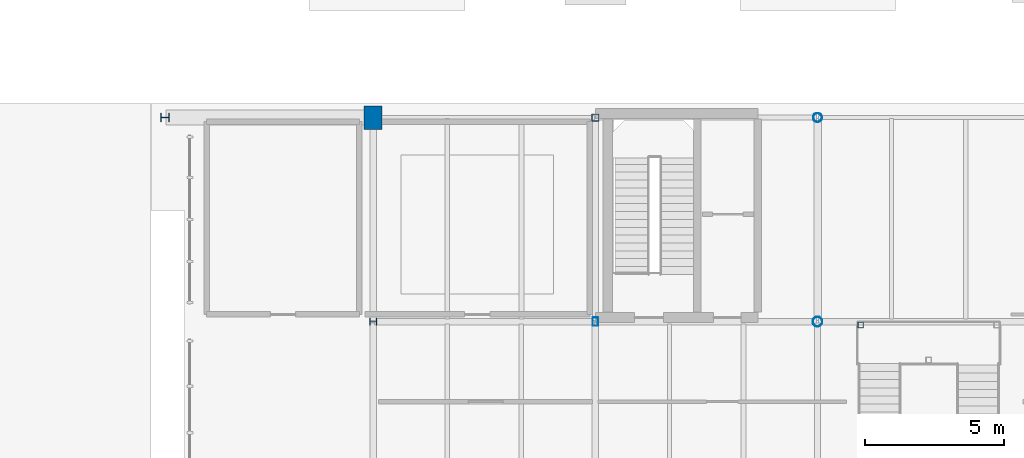
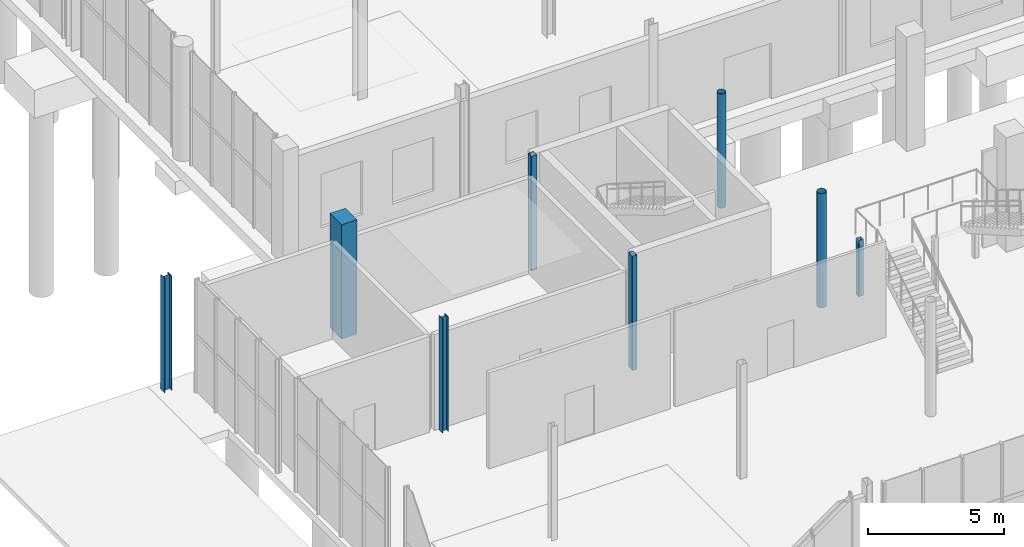
# One storey, part 6 of 87: 8 columns.
"""IFC4 building model written with IfcOpenShell, lengths in metres."""

from ifc_helpers import new_model, si_unit, direction, frame, origin, origin_2d, place, context, subcontext, project, spatial, rectangle, hollow_rectangle, hollow_circle, i_section, extrude, material, material_profile, profile_set, type_object, element, save


model = new_model("IFC4")

# Units and contexts
model_context = context("Model", 3, precision=1e-05, world=origin(), true_north=direction((0.0, 1.0)))
body_context = subcontext(model_context, "Body", "Model", "MODEL_VIEW")
ifc_project = project(units=[si_unit("LENGTHUNIT", "METRE"), si_unit("AREAUNIT", "SQUARE_METRE"), si_unit("VOLUMEUNIT", "CUBIC_METRE"), si_unit("PLANEANGLEUNIT", "RADIAN"), si_unit("MASSUNIT", "GRAM", prefix="KILO")], contexts=[model_context])

# Site, building, storey
site_placement = place(None, origin())
site = spatial("IfcSite", under=ifc_project, at=site_placement, CompositionType="ELEMENT")
building_placement = place(site_placement, origin())
building = spatial("IfcBuilding", under=site, at=building_placement, Name="Brisemont Oceanarium", CompositionType="ELEMENT")
storey_placement = place(building_placement, origin())
storey = spatial("IfcBuildingStorey", under=building, at=storey_placement, Name="L00", CompositionType="ELEMENT", Elevation=0.0)

# Columns
ifc_material_1 = material(Name="Structural Steel ASTM A500 Gr.C", Category="steel")
ifc_material_profile_1 = material_profile(ifc_material_1, hollow_circle(Radius=0.162109375, WallThickness=0.01171875, at=origin_2d()), Name="HSS12.750X0.500")
ifc_profile_set_1 = profile_set([ifc_material_profile_1], Name="Structural Steel ASTM A500 Gr.C")
column_type_1 = type_object("IfcColumnType", Name="COL-CHS12", PredefinedType="COLUMN", material=ifc_profile_set_1)
column_1_placement = place(storey_placement, frame((32.0, 31.35009765625, 0.0), z_axis=(0.0, 0.0, 1.0), x_axis=(1.0, 0.0, 0.0)))
element("IfcColumn", 1, at=column_1_placement, inside=storey, type_object=column_type_1, Name="V2 L00 column (3,3)", PredefinedType="COLUMN", context=body_context, shape_type="SweptSolid", body=[
    extrude(hollow_circle(Radius=0.162109375, WallThickness=0.01171875, at=origin_2d()), origin(), (0.0, 0.0, 1.0), 5.1201171875),
])
ifc_material_2 = material(Name="Structural Steel ASTM A500 Gr.C", Category="steel")
ifc_material_profile_2 = material_profile(ifc_material_2, hollow_circle(Radius=0.177978515625, WallThickness=0.01171875, at=origin_2d()), Name="HSS14.000X0.500")
ifc_profile_set_2 = profile_set([ifc_material_profile_2], Name="Structural Steel ASTM A500 Gr.C")
column_type_2 = type_object("IfcColumnType", Name="COL-CHS14", PredefinedType="COLUMN", material=ifc_profile_set_2)
column_2_placement = place(storey_placement, frame((32.0, 24.0, 0.0), z_axis=(0.0, 0.0, 1.0), x_axis=(0.0, 1.0, 0.0)))
element("IfcColumn", 2, at=column_2_placement, inside=storey, type_object=column_type_2, Name="V2 L00 column (3,2)", PredefinedType="COLUMN", context=body_context, shape_type="SweptSolid", body=[
    extrude(hollow_circle(Radius=0.177978515625, WallThickness=0.01171875, at=origin_2d()), origin(), (0.0, 0.0, 1.0), 5.1201171875),
])
ifc_material_3 = material(Name="Structural Steel ASTM A500 Gr.C", Category="steel")
ifc_material_profile_3 = material_profile(ifc_material_3, hollow_rectangle(XDim=0.25390625, YDim=0.25390625, WallThickness=0.01171875, InnerFilletRadius=0.01220703125, OuterFilletRadius=0.02392578125, at=origin_2d()), Name="HSS10X10X1/2")
ifc_profile_set_3 = profile_set([ifc_material_profile_3], Name="Structural Steel ASTM A500 Gr.C")
column_type_3 = type_object("IfcColumnType", Name="COL-HSS10X10", PredefinedType="COLUMN", material=ifc_profile_set_3)
column_3_placement = place(storey_placement, frame((24.0, 31.35009765625, 0.0), z_axis=(0.0, 0.0, 1.0), x_axis=(0.0, 1.0, 0.0)))
element("IfcColumn", 3, at=column_3_placement, inside=storey, type_object=column_type_3, Name="V2 L00 column (2,3)", PredefinedType="COLUMN", context=body_context, shape_type="SweptSolid", body=[
    extrude(hollow_rectangle(XDim=0.25390625, YDim=0.25390625, WallThickness=0.01171875, InnerFilletRadius=0.01220703125, OuterFilletRadius=0.02392578125, at=origin_2d()), origin(), (0.0, 0.0, 1.0), 5.1201171875),
])
ifc_material_4 = material(Name="Structural Steel ASTM A500 Gr.C", Category="steel")
ifc_material_profile_4 = material_profile(ifc_material_4, hollow_rectangle(XDim=0.202880859375, YDim=0.304931640625, WallThickness=0.0087890625, InnerFilletRadius=0.009033203125, OuterFilletRadius=0.01806640625, at=origin_2d()), Name="HSS12X8X3/8")
ifc_profile_set_4 = profile_set([ifc_material_profile_4], Name="Structural Steel ASTM A500 Gr.C")
column_type_4 = type_object("IfcColumnType", Name="COL-HSS12X8", PredefinedType="COLUMN", material=ifc_profile_set_4)
column_4_placement = place(storey_placement, frame((24.0, 24.0, 0.0), z_axis=(0.0, 0.0, 1.0), x_axis=(1.0, 0.0, 0.0)))
element("IfcColumn", 4, at=column_4_placement, inside=storey, type_object=column_type_4, Name="V2 L00 column (2,2)", PredefinedType="COLUMN", context=body_context, shape_type="SweptSolid", body=[
    extrude(hollow_rectangle(XDim=0.202880859375, YDim=0.304931640625, WallThickness=0.0087890625, InnerFilletRadius=0.009033203125, OuterFilletRadius=0.01806640625, at=origin_2d()), origin(), (0.0, 0.0, 1.0), 5.1201171875),
])
ifc_material_5 = material(Name="Structural Steel ASTM A500 Gr.C", Category="steel")
ifc_material_profile_5 = material_profile(ifc_material_5, hollow_rectangle(XDim=0.202880859375, YDim=0.202880859375, WallThickness=0.0087890625, InnerFilletRadius=0.009033203125, OuterFilletRadius=0.01806640625, at=origin_2d()), Name="HSS8X8X3/8")
ifc_profile_set_5 = profile_set([ifc_material_profile_5], Name="Structural Steel ASTM A500 Gr.C")
column_type_5 = type_object("IfcColumnType", Name="COL-HSS8X8", PredefinedType="COLUMN", material=ifc_profile_set_5)
column_5_placement = place(storey_placement, frame((33.550048828125, 23.8798828125, 0.0), z_axis=(0.0, 0.0, 1.0), x_axis=(1.0, 0.0, 0.0)))
element("IfcColumn", 5, at=column_5_placement, inside=storey, type_object=column_type_5, Name="ST-10 landing support column W", PredefinedType="COLUMN", context=body_context, shape_type="SweptSolid", body=[
    extrude(hollow_rectangle(XDim=0.202880859375, YDim=0.202880859375, WallThickness=0.0087890625, InnerFilletRadius=0.009033203125, OuterFilletRadius=0.01806640625, at=origin_2d()), origin(), (0.0, 0.0, 1.0), 2.52001953125),
])
ifc_material_6 = material(Name="Structural Steel ASTM A992 Gr.50", Category="steel")
ifc_material_profile_6 = material_profile(ifc_material_6, i_section(OverallWidth=0.25390625, OverallDepth=0.25390625, WebThickness=0.008544921875, FlangeThickness=0.01416015625, FilletRadius=0.010986328125, at=origin_2d()), Name="W10X49")
ifc_profile_set_6 = profile_set([ifc_material_profile_6], Name="Structural Steel ASTM A992 Gr.50")
column_type_6 = type_object("IfcColumnType", Name="COL-W10X49", PredefinedType="COLUMN", material=ifc_profile_set_6)
column_6_placement = place(storey_placement, frame((16.0, 24.0, 0.0), z_axis=(0.0, 0.0, 1.0), x_axis=(0.0, 1.0, 0.0)))
element("IfcColumn", 6, at=column_6_placement, inside=storey, type_object=column_type_6, Name="V2 L00 column (1,2)", PredefinedType="COLUMN", context=body_context, shape_type="SweptSolid", body=[
    extrude(i_section(OverallWidth=0.25390625, OverallDepth=0.25390625, WebThickness=0.008544921875, FlangeThickness=0.01416015625, FilletRadius=0.010986328125, at=origin_2d()), origin(), (0.0, 0.0, 1.0), 5.1201171875),
])
ifc_material_7 = material(Name="Structural Steel ASTM A992 Gr.50", Category="steel")
ifc_material_profile_7 = material_profile(ifc_material_7, i_section(OverallWidth=0.305908203125, OverallDepth=0.31103515625, WebThickness=0.010986328125, FlangeThickness=0.01708984375, FilletRadius=0.012939453125, at=origin_2d()), Name="W12X72")
ifc_profile_set_7 = profile_set([ifc_material_profile_7], Name="Structural Steel ASTM A992 Gr.50")
column_type_7 = type_object("IfcColumnType", Name="COL-W12X72", PredefinedType="COLUMN", material=ifc_profile_set_7)
column_7_placement = place(storey_placement, frame((8.5, 31.35009765625, 0.0), z_axis=(0.0, 0.0, 1.0), x_axis=(0.0, 1.0, 0.0)))
element("IfcColumn", 7, at=column_7_placement, inside=storey, type_object=column_type_7, Name="V2 L00 column (0,3)", PredefinedType="COLUMN", context=body_context, shape_type="SweptSolid", body=[
    extrude(i_section(OverallWidth=0.305908203125, OverallDepth=0.31103515625, WebThickness=0.010986328125, FlangeThickness=0.01708984375, FilletRadius=0.012939453125, at=origin_2d()), origin(), (0.0, 0.0, 1.0), 5.1201171875),
])
ifc_material_8 = material(Name="Precast Concrete C40/50", Category="concrete")
ifc_material_profile_8 = material_profile(ifc_material_8, rectangle(XDim=0.64990234375, YDim=0.85009765625, at=origin_2d()), Name="RC-PIL-650X850")
ifc_profile_set_8 = profile_set([ifc_material_profile_8], Name="Precast Concrete C40/50")
column_type_8 = type_object("IfcColumnType", Name="PIL-RC650X850", PredefinedType="PILASTER", material=ifc_profile_set_8)
column_8_placement = place(storey_placement, frame((16.0, 31.35009765625, 0.0), z_axis=(0.0, 0.0, 1.0), x_axis=(1.0, 0.0, 0.0)))
element("IfcColumn", 8, at=column_8_placement, inside=storey, type_object=column_type_8, Name="V2 L00 column (1,3)", PredefinedType="PILASTER", context=body_context, shape_type="SweptSolid", body=[
    extrude(rectangle(XDim=0.64990234375, YDim=0.85009765625, at=origin_2d()), origin(), (0.0, 0.0, 1.0), 5.1201171875),
])

save(model, "model.ifc")
